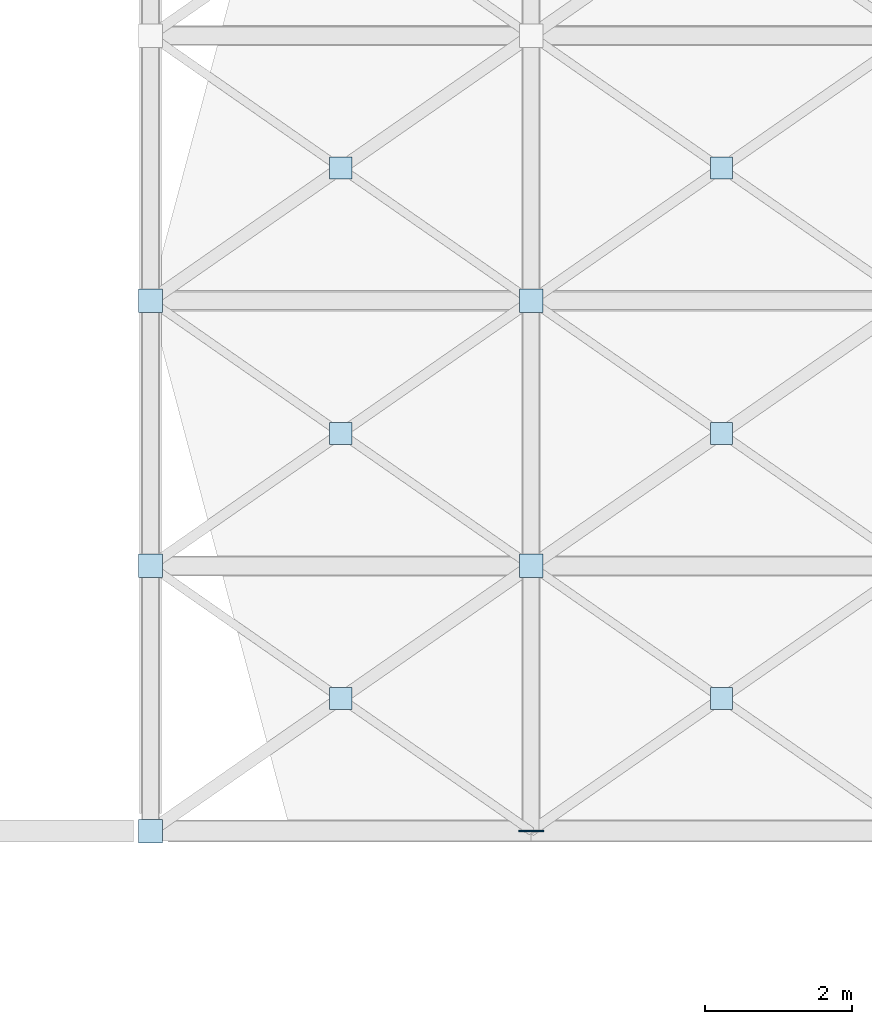
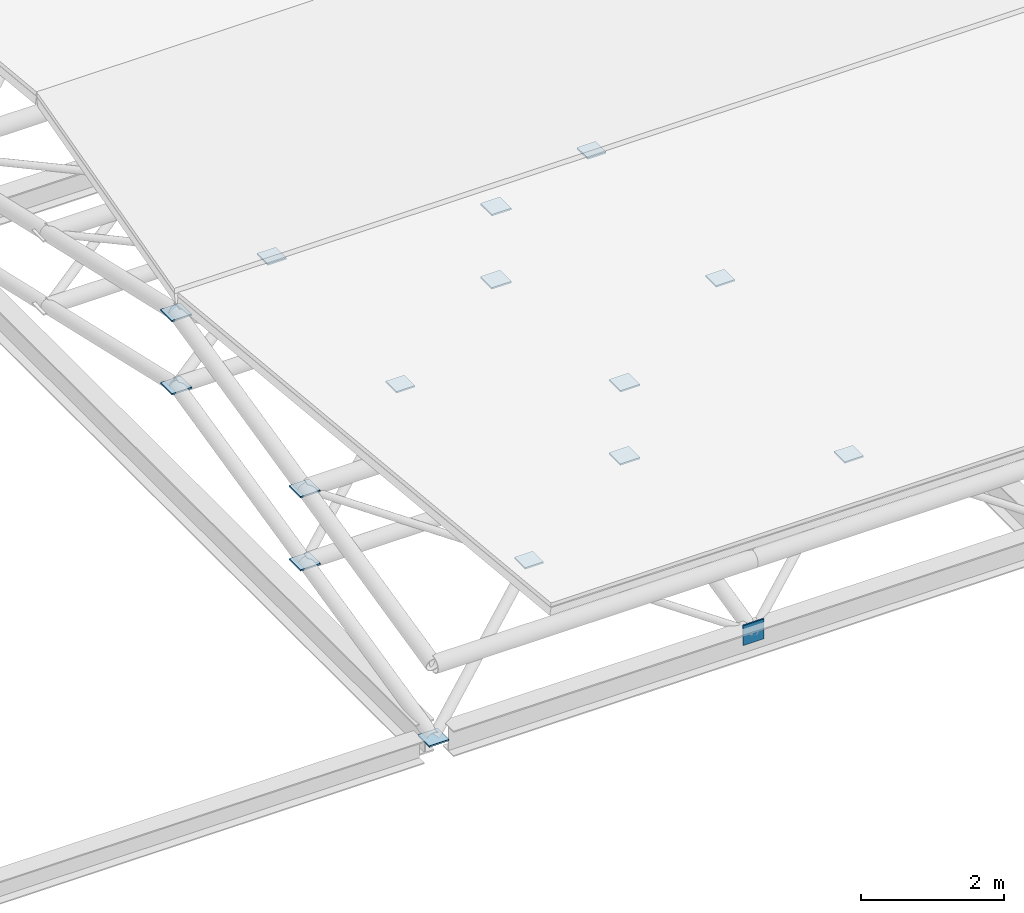
# One storey, part 80 of 110: 16 plates.
"""IFC4 building model written with IfcOpenShell, lengths in metres."""

from ifc_helpers import new_model, si_unit, direction, frame, origin, origin_2d, place, context, subcontext, project, spatial, rectangle, extrude, material, layer, layer_set, type_object, element, save


model = new_model("IFC4")

# Units and contexts
model_context = context("Model", 3, precision=1e-05, world=origin(), true_north=direction((0.0, 1.0)))
body_context = subcontext(model_context, "Body", "Model", "MODEL_VIEW")
ifc_project = project(units=[si_unit("LENGTHUNIT", "METRE"), si_unit("AREAUNIT", "SQUARE_METRE"), si_unit("VOLUMEUNIT", "CUBIC_METRE"), si_unit("PLANEANGLEUNIT", "RADIAN"), si_unit("MASSUNIT", "GRAM", prefix="KILO")], contexts=[model_context])

# Site, building, storey
site_placement = place(None, origin())
site = spatial("IfcSite", under=ifc_project, at=site_placement, CompositionType="ELEMENT")
building_placement = place(site_placement, origin())
building = spatial("IfcBuilding", under=site, at=building_placement, Name="Tamarisk Ironworks Central Station", CompositionType="ELEMENT")
storey_placement = place(building_placement, frame((0.0, 0.0, 17.39990234375)))
storey = spatial("IfcBuildingStorey", under=building, at=storey_placement, Name="L03", CompositionType="ELEMENT", Elevation=17.39990234375)

# Plates
ifc_material_1 = material(Name="Painted structural steel S355J2", Category="steel")
ifc_layer_1 = layer(ifc_material_1, 0.01611328125)
ifc_layer_set_1 = layer_set([ifc_layer_1], Name="Painted structural steel S355J2")
plate_type_1 = type_object("IfcPlateType", Name="PL-EC16", PredefinedType="SHEET", material=ifc_layer_set_1)
plate_1_placement = place(storey_placement, frame((123.166748046875, 21.60009765625, -1.89013671875), z_axis=(0.0, 0.0, 1.0), x_axis=(1.0, 0.0, 0.0)))
element("IfcPlate", 1, at=plate_1_placement, inside=storey, type_object=plate_type_1, Name="Hollow section welded end-cap plate 40", PredefinedType="SHEET", context=body_context, shape_type="SweptSolid", body=[
    extrude(rectangle(XDim=0.340087890625, YDim=0.02392578125, at=origin_2d()), origin(), (0.0, 0.0, 1.0), 0.340087890625),
])
ifc_material_2 = material(Name="Structural steel S355J2H", Category="steel")
ifc_layer_2 = layer(ifc_material_2, 0.02587890625)
ifc_layer_set_2 = layer_set([ifc_layer_2], Name="Structural steel S355J2H")
plate_type_2 = type_object("IfcPlateType", Name="PL-ND26", PredefinedType="SHEET", material=ifc_layer_set_2)
plate_2_placement = place(storey_placement, frame((120.583251953125, 23.39990234375, -0.6953125), z_axis=(0.0, 0.0, 1.0), x_axis=(1.0, 0.0, 0.0)))
element("IfcPlate", 2, at=plate_2_placement, inside=storey, type_object=plate_type_2, Name="Space-frame X-brace crossing gusset plate 0508", PredefinedType="SHEET", context=body_context, shape_type="SweptSolid", body=[
    extrude(rectangle(XDim=0.300048828125, YDim=0.300048828125, at=origin_2d()), origin(), (0.0, 0.0, 1.0), 0.02587890625),
])
for number, where, z_axis, x_axis, name in (
    (3, (118.0, 21.60009765625, -1.73291015625), (0.0, 0.0, 1.0), (1.0, 0.0, 0.0), "Space-frame collector node plate 0509"),
    (4, (118.0, 25.199951171875, 0.342041015625), (0.0, 0.0, 1.0), (1.0, 0.0, 0.0), "Space-frame collector node plate 0510"),
    (5, (123.166748046875, 25.199951171875, 0.342041015625), (0.0, 0.0, 1.0), (1.0, 0.0, 0.0), "Space-frame collector node plate 0511"),
):
    element("IfcPlate", number, at=place(storey_placement, frame(where, z_axis=z_axis, x_axis=x_axis)), inside=storey, type_object=plate_type_2, Name=name, PredefinedType="SHEET", context=body_context, shape_type="SweptSolid", body=[
        extrude(rectangle(XDim=0.320068359375, YDim=0.320068359375, at=origin_2d()), origin(), (0.0, 0.0, 1.0), 0.02587890625),
    ])
plate_3_placement = place(storey_placement, frame((120.583251953125, 27.0, 0.129638671875), z_axis=(0.0, 0.0, 1.0), x_axis=(1.0, 0.0, 0.0)))
element("IfcPlate", 6, at=plate_3_placement, inside=storey, type_object=plate_type_2, Name="Space-frame X-brace crossing gusset plate 0512", PredefinedType="SHEET", context=body_context, shape_type="SweptSolid", body=[
    extrude(rectangle(XDim=0.300048828125, YDim=0.300048828125, at=origin_2d()), origin(), (0.0, 0.0, 1.0), 0.02587890625),
])
for number, where, z_axis, x_axis, name in (
    (7, (118.0, 25.199951171875, -0.907958984375), (0.0, 0.0, 1.0), (1.0, 0.0, 0.0), "Space-frame collector node plate 0513"),
    (8, (123.166748046875, 25.199951171875, -0.907958984375), (0.0, 0.0, 1.0), (1.0, 0.0, 0.0), "Space-frame collector node plate 0514"),
    (9, (118.0, 28.800048828125, 1.167236328125), (0.0, 0.0, 1.0), (1.0, 0.0, 0.0), "Space-frame collector node plate 0515"),
    (10, (123.166748046875, 28.800048828125, 1.167236328125), (0.0, 0.0, 1.0), (1.0, 0.0, 0.0), "Space-frame collector node plate 0516"),
):
    element("IfcPlate", number, at=place(storey_placement, frame(where, z_axis=z_axis, x_axis=x_axis)), inside=storey, type_object=plate_type_2, Name=name, PredefinedType="SHEET", context=body_context, shape_type="SweptSolid", body=[
        extrude(rectangle(XDim=0.320068359375, YDim=0.320068359375, at=origin_2d()), origin(), (0.0, 0.0, 1.0), 0.02587890625),
    ])
plate_4_placement = place(storey_placement, frame((120.583251953125, 30.60009765625, 0.129638671875), z_axis=(0.0, 0.0, 1.0), x_axis=(1.0, 0.0, 0.0)))
element("IfcPlate", 11, at=plate_4_placement, inside=storey, type_object=plate_type_2, Name="Space-frame X-brace crossing gusset plate 0517", PredefinedType="SHEET", context=body_context, shape_type="SweptSolid", body=[
    extrude(rectangle(XDim=0.300048828125, YDim=0.300048828125, at=origin_2d()), origin(), (0.0, 0.0, 1.0), 0.02587890625),
])
for number, where, z_axis, x_axis, name in (
    (12, (118.0, 28.800048828125, -0.082763671875), (0.0, 0.0, 1.0), (1.0, 0.0, 0.0), "Space-frame collector node plate 0518"),
    (13, (123.166748046875, 28.800048828125, -0.082763671875), (0.0, 0.0, 1.0), (1.0, 0.0, 0.0), "Space-frame collector node plate 0519"),
):
    element("IfcPlate", number, at=place(storey_placement, frame(where, z_axis=z_axis, x_axis=x_axis)), inside=storey, type_object=plate_type_2, Name=name, PredefinedType="SHEET", context=body_context, shape_type="SweptSolid", body=[
        extrude(rectangle(XDim=0.320068359375, YDim=0.320068359375, at=origin_2d()), origin(), (0.0, 0.0, 1.0), 0.02587890625),
    ])
for number, where, z_axis, x_axis, name in (
    (14, (125.75, 23.39990234375, -0.6953125), (0.0, 0.0, 1.0), (1.0, 0.0, 0.0), "Space-frame X-brace crossing gusset plate 0527"),
    (15, (125.75, 27.0, 0.129638671875), (0.0, 0.0, 1.0), (1.0, 0.0, 0.0), "Space-frame X-brace crossing gusset plate 0530"),
    (16, (125.75, 30.60009765625, 0.129638671875), (0.0, 0.0, 1.0), (1.0, 0.0, 0.0), "Space-frame X-brace crossing gusset plate 0533"),
):
    element("IfcPlate", number, at=place(storey_placement, frame(where, z_axis=z_axis, x_axis=x_axis)), inside=storey, type_object=plate_type_2, Name=name, PredefinedType="SHEET", context=body_context, shape_type="SweptSolid", body=[
        extrude(rectangle(XDim=0.300048828125, YDim=0.300048828125, at=origin_2d()), origin(), (0.0, 0.0, 1.0), 0.02587890625),
    ])

save(model, "model.ifc")
